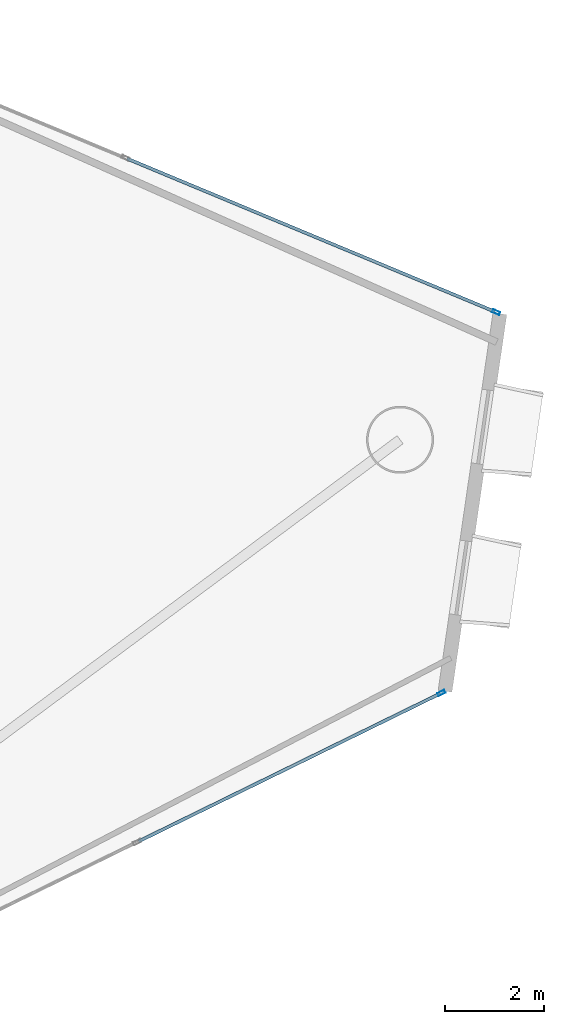
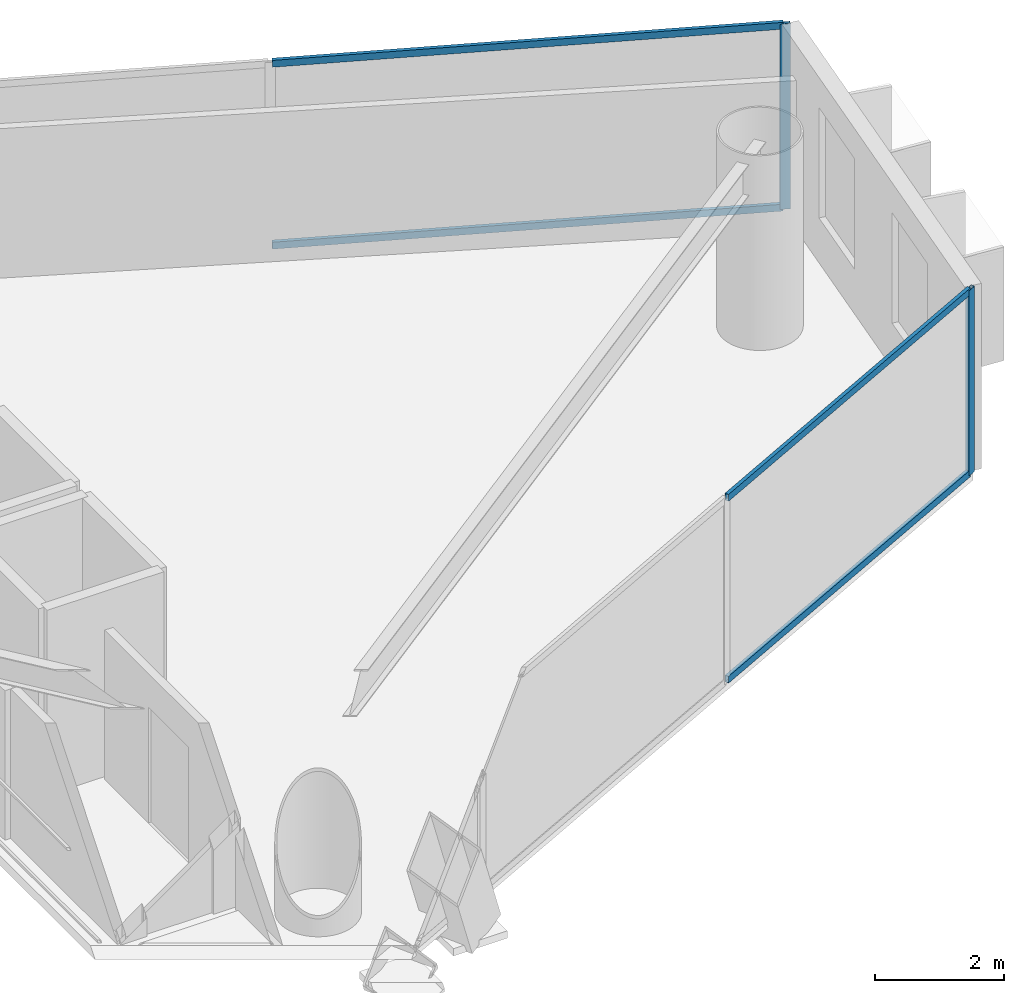
# One storey, part 15 of 22: 6 members, 2 elements without a shape of their own.
"""IFC4 building model written with IfcOpenShell, lengths in metres."""

from ifc_helpers import new_model, si_unit, direction, frame, origin, origin_2d, place, context, subcontext, project, spatial, hollow_rectangle, extrude, material, layer, layer_set, material_profile, profile_set, type_object, element, aggregate, save


model = new_model("IFC4")

# Units and contexts
model_context = context("Model", 3, precision=1e-05, world=origin(), true_north=direction((0.0, 1.0)))
body_context = subcontext(model_context, "Body", "Model", "MODEL_VIEW")
ifc_project = project(units=[si_unit("LENGTHUNIT", "METRE"), si_unit("AREAUNIT", "SQUARE_METRE"), si_unit("VOLUMEUNIT", "CUBIC_METRE"), si_unit("PLANEANGLEUNIT", "RADIAN"), si_unit("MASSUNIT", "GRAM", prefix="KILO")], contexts=[model_context])

# Site, building, storey
site_placement = place(None, origin())
site = spatial("IfcSite", under=ifc_project, at=site_placement, CompositionType="ELEMENT")
building_placement = place(site_placement, origin())
building = spatial("IfcBuilding", under=site, at=building_placement, Name="Qianvela Tower", CompositionType="ELEMENT")
storey_placement = place(building_placement, frame((0.0, 0.0, 158.699951171875)))
storey = spatial("IfcBuildingStorey", under=building, at=storey_placement, Name="L40", CompositionType="ELEMENT", Elevation=158.699951171875)

# Curtain wall, member
ifc_material_1 = material(Name="Anodised Architectural Aluminium and Low-E Glass", Category="aluminium")
ifc_layer = layer(ifc_material_1, 0.169921875)
ifc_layer_set = layer_set([ifc_layer], Name="Anodised Architectural Aluminium and Low-E Glass")
curtain_wall_type = type_object("IfcCurtainWallType", Name="CW-COLIV-Z34", PredefinedType="USERDEFINED", material=ifc_layer_set)
curtain_wall_1_placement = place(storey_placement, origin())
curtain_wall_1 = element("IfcCurtainWall", 1, at=curtain_wall_1_placement, inside=storey, type_object=curtain_wall_type, Name="L40 CW-COLIV-Z34 Curtain Wall 02A", ObjectType="CURTAIN_WALL_SYSTEM", PredefinedType="USERDEFINED")
ifc_material_2 = material(Name="Anodised Architectural Aluminium 6063-T6", Category="aluminium")
ifc_material_profile_1 = material_profile(ifc_material_2, hollow_rectangle(XDim=0.06494140625, YDim=0.159912109375, WallThickness=0.0048828125, at=origin_2d()), Name="ALU-MULL-65x160")
ifc_profile_set_1 = profile_set([ifc_material_profile_1], Name="Anodised Architectural Aluminium 6063-T6")
member_type_1 = type_object("IfcMemberType", Name="CW-COLIV-Z34-MULL", PredefinedType="MULLION", material=ifc_profile_set_1)
member_1_placement = place(storey_placement, frame((59.368408203125, 30.186767578125, 0.0), z_axis=(0.0, 0.0, 1.0), x_axis=(-0.384184843417, -0.923256197428, 0.0)))
member_1 = element("IfcMember", 2, at=member_1_placement, type_object=member_type_1, Name="CW-4 mullion 1", PredefinedType="MULLION", context=body_context, shape_type="SweptSolid", body=[
    extrude(hollow_rectangle(XDim=0.06494140625, YDim=0.159912109375, WallThickness=0.0048828125, at=origin_2d()), origin(), (0.0, 0.0, 1.0), 3.52001953125),
])

curtain_wall_2_placement = place(storey_placement, origin())
curtain_wall_2 = element("IfcCurtainWall", 3, at=curtain_wall_2_placement, inside=storey, type_object=curtain_wall_type, Name="L40 CW-COLIV-Z34 Curtain Wall 06C", ObjectType="CURTAIN_WALL_SYSTEM", PredefinedType="USERDEFINED")
member_2_placement = place(storey_placement, frame((58.2666015625, 22.51806640625, 0.0), z_axis=(0.0, 0.0, 1.0), x_axis=(-0.44014326681, 0.897927560932, 0.0)))
member_2 = element("IfcMember", 4, at=member_2_placement, type_object=member_type_1, Name="CW-4 mullion 3", PredefinedType="MULLION", context=body_context, shape_type="SweptSolid", body=[
    extrude(hollow_rectangle(XDim=0.06494140625, YDim=0.159912109375, WallThickness=0.0048828125, at=origin_2d()), origin(), (0.0, 0.0, 1.0), 3.52001953125),
])

# Member
ifc_material_3 = material(Name="Anodised Architectural Aluminium 6063-T6", Category="aluminium")
ifc_material_profile_2 = material_profile(ifc_material_3, hollow_rectangle(XDim=0.06494140625, YDim=0.1298828125, WallThickness=0.00439453125, at=origin_2d()), Name="ALU-TRAN-65x130")
ifc_profile_set_2 = profile_set([ifc_material_profile_2], Name="Anodised Architectural Aluminium 6063-T6")
member_type_2 = type_object("IfcMemberType", Name="CW-COLIV-Z34-TRAN", PredefinedType="USERDEFINED", material=ifc_profile_set_2)
member_3_placement = place(storey_placement, frame((59.33837890625, 30.19921875, 0.032470703125), z_axis=(-0.923259708039, 0.384176406762, 0.0), x_axis=(-0.384176406762, -0.923259708039, 0.0)))
member_3 = element("IfcMember", 5, at=member_3_placement, type_object=member_type_2, Name="CW-4 transom 1.1", ObjectType="TRANSOM", PredefinedType="USERDEFINED", context=body_context, shape_type="SweptSolid", body=[
    extrude(hollow_rectangle(XDim=0.06494140625, YDim=0.1298828125, WallThickness=0.00439453125, at=origin_2d()), origin(), (0.0, 0.0, 1.0), 8.017333984375),
])

member_4_placement = place(storey_placement, frame((59.33837890625, 30.19921875, 3.487548828125), z_axis=(-0.923259708039, 0.384176406762, 0.0), x_axis=(-0.384176406762, -0.923259708039, 0.0)))
member_4 = element("IfcMember", 6, at=member_4_placement, type_object=member_type_2, Name="CW-4 transom 1.2", ObjectType="TRANSOM", PredefinedType="USERDEFINED", context=body_context, shape_type="SweptSolid", body=[
    extrude(hollow_rectangle(XDim=0.06494140625, YDim=0.1298828125, WallThickness=0.00439453125, at=origin_2d()), origin(), (0.0, 0.0, 1.0), 8.017333984375),
])

aggregate(curtain_wall_1, [member_1, member_3, member_4])

member_5_placement = place(storey_placement, frame((52.168701171875, 19.52880859375, 0.032470703125), z_axis=(0.897924921637, 0.440148651144, 0.0), x_axis=(-0.440148651144, 0.897924921637, 0.0)))
member_5 = element("IfcMember", 7, at=member_5_placement, type_object=member_type_2, Name="CW-4 transom 2.1", ObjectType="TRANSOM", PredefinedType="USERDEFINED", context=body_context, shape_type="SweptSolid", body=[
    extrude(hollow_rectangle(XDim=0.06494140625, YDim=0.1298828125, WallThickness=0.00439453125, at=origin_2d()), origin(), (0.0, 0.0, 1.0), 6.7587890625),
])

member_6_placement = place(storey_placement, frame((52.168701171875, 19.52880859375, 3.487548828125), z_axis=(0.897924921637, 0.440148651144, 0.0), x_axis=(-0.440148651144, 0.897924921637, 0.0)))
member_6 = element("IfcMember", 8, at=member_6_placement, type_object=member_type_2, Name="CW-4 transom 2.2", ObjectType="TRANSOM", PredefinedType="USERDEFINED", context=body_context, shape_type="SweptSolid", body=[
    extrude(hollow_rectangle(XDim=0.06494140625, YDim=0.1298828125, WallThickness=0.00439453125, at=origin_2d()), origin(), (0.0, 0.0, 1.0), 6.7587890625),
])

aggregate(curtain_wall_2, [member_2, member_5, member_6])

save(model, "model.ifc")
